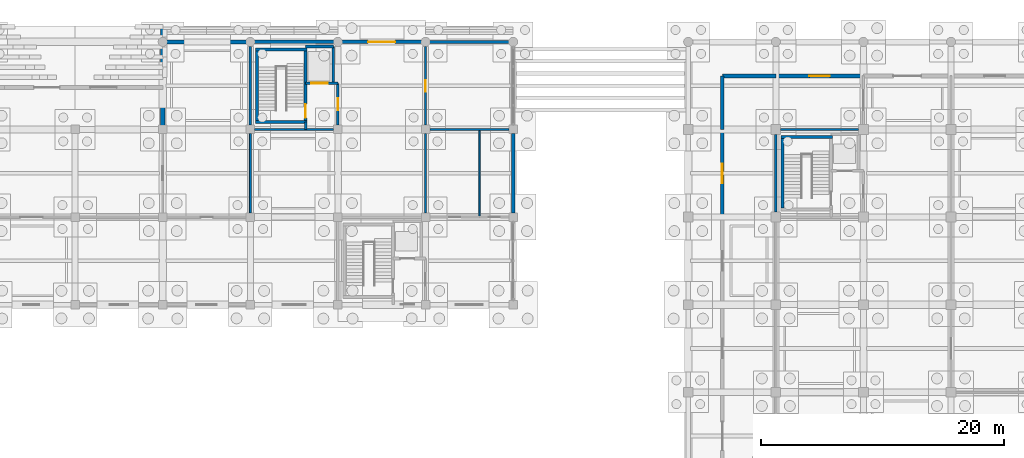
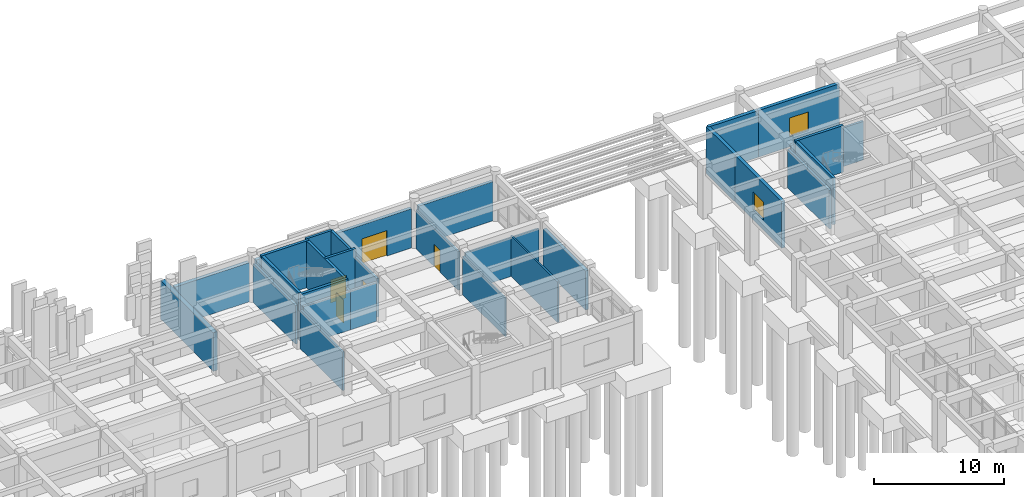
# One storey, part 65 of 79: 31 walls, 5 doors, 2 windows, 7 openings.
"""IFC4 building model written with IfcOpenShell, lengths in metres."""

from ifc_helpers import new_model, si_unit, direction, frame, frame_2d, origin, place, context, subcontext, project, spatial, rectangle, extrude, material, layer, layer_set, type_object, element, fill, save


model = new_model("IFC4")

# Units and contexts
model_context = context("Model", 3, precision=1e-05, world=origin(), true_north=direction((0.0, 1.0)))
body_context = subcontext(model_context, "Body", "Model", "MODEL_VIEW")
ifc_project = project(units=[si_unit("LENGTHUNIT", "METRE"), si_unit("AREAUNIT", "SQUARE_METRE"), si_unit("VOLUMEUNIT", "CUBIC_METRE"), si_unit("PLANEANGLEUNIT", "RADIAN"), si_unit("MASSUNIT", "GRAM", prefix="KILO")], contexts=[model_context])

# Site, building, storey
site_placement = place(None, origin())
site = spatial("IfcSite", under=ifc_project, at=site_placement, CompositionType="ELEMENT")
building_placement = place(site_placement, origin())
building = spatial("IfcBuilding", under=site, at=building_placement, Name="Kavelor Marine Aquarium", CompositionType="ELEMENT")
storey_placement = place(building_placement, origin())
storey = spatial("IfcBuildingStorey", under=building, at=storey_placement, Name="L00", CompositionType="ELEMENT", Elevation=0.0)

# Walls
ifc_material_1 = material(Name="Concrete C45/55", Category="concrete")
ifc_layer_1 = layer(ifc_material_1, 0.360107421875)
ifc_layer_set_1 = layer_set([ifc_layer_1], Name="WL-EX1")
wall_type_1 = type_object("IfcWallType", Name="WL-EX1", PredefinedType="STANDARD", material=ifc_layer_set_1)
wall_1_placement = place(storey_placement, frame((75.199951171875, 103.945068359375, 0.0), z_axis=(0.0, 0.0, 1.0), x_axis=(0.0, 1.0, 0.0)))
element("IfcWall", 1, at=wall_1_placement, inside=storey, type_object=wall_type_1, Name="ew:portal:north:cheek:e:L00", PredefinedType="STANDARD", context=body_context, shape_type="SweptSolid", body=[
    extrude(rectangle(XDim=8.094970703125, YDim=0.360107421875, at=frame_2d((4.04736328125, 0.0))), origin(), (0.0, 0.0, 1.0), 3.6201171875),
])
ifc_material_2 = material(Name="Concrete C45/55", Category="concrete")
ifc_layer_2 = layer(ifc_material_2, 0.320068359375)
ifc_layer_set_2 = layer_set([ifc_layer_2], Name="WL-EX2")
wall_type_2 = type_object("IfcWallType", Name="WL-EX2", PredefinedType="STANDARD", material=ifc_layer_set_2)
wall_2_placement = place(storey_placement, frame((75.510009765625, 110.800048828125, 0.0), z_axis=(0.0, 0.0, 1.0), x_axis=(1.0, 0.0, 0.0)))
element("IfcWall", 2, at=wall_2_placement, inside=storey, type_object=wall_type_2, Name="ew:x:L00:10_15", PredefinedType="STANDARD", context=body_context, shape_type="SweptSolid", body=[
    extrude(rectangle(XDim=6.580078125, YDim=0.320068359375, at=frame_2d((3.2900390625, 0.0))), origin(), (0.0, 0.0, 1.0), 3.669921875),
])

# Wall, opening, window
wall_3_placement = place(storey_placement, frame((121.199951171875, 96.39990234375, 0.0), z_axis=(0.0, 0.0, 1.0), x_axis=(0.0, 1.0, 0.0)))
wall_3 = element("IfcWall", 3, at=wall_3_placement, inside=storey, type_object=wall_type_2, Name="ew:arc:v6w:13", PredefinedType="STANDARD", context=body_context, shape_type="SweptSolid", body=[
    extrude(rectangle(XDim=7.2001953125, YDim=0.300048828125, at=frame_2d((3.60009765625, 0.0))), origin(), (0.0, 0.0, 1.0), 4.3701171875),
])
opening_1_placement = place(wall_3_placement, frame((2.800048828125, 0.0, 0.949951171875)))
opening_1 = element("IfcOpeningElement", 4, at=opening_1_placement, cuts=wall_3, Name="Opening W06", PredefinedType="OPENING", context=body_context, shape_type="SweptSolid", body=[
    extrude(rectangle(XDim=1.60009765625, YDim=1.699951171875, at=frame_2d((0.800048828125, 0.85009765625))), frame((0.0, 0.159912109375, 0.0), z_axis=(0.0, -1.0, 0.0), x_axis=(1.0, 0.0, 0.0)), (0.0, 0.0, 1.0), 0.320049),
])
ifc_material_3 = material(Name="Anodised Aluminium Frame with Low-E Double Glazing", Category="aluminium")
window_type_1 = type_object("IfcWindowType", Name="WIN-W06", PartitioningType="SINGLE_PANEL", PredefinedType="WINDOW", material=ifc_material_3)
window_1_placement = place(opening_1_placement, origin())
window_1 = element("IfcWindow", 5, at=window_1_placement, inside=storey, type_object=window_type_1, Name="win:arc:v6w:13", OverallHeight=1.699951171875, OverallWidth=1.60009765625, PartitioningType="SINGLE_PANEL", PredefinedType="WINDOW", context=body_context, shape_type="SweptSolid", body=[
    extrude(rectangle(XDim=1.60009765625, YDim=1.699951171875, at=frame_2d((0.800048828125, 0.85009765625))), frame((0.0, 0.030029296875, 0.0), z_axis=(0.0, -1.0, 0.0), x_axis=(1.0, 0.0, 0.0)), (0.0, 0.0, 1.0), 0.06005859375),
])
fill(opening_1, window_1)

# Walls
wall_4_placement = place(storey_placement, frame((121.199951171875, 103.60009765625, 0.0), z_axis=(0.0, 0.0, 1.0), x_axis=(0.0, 1.0, 0.0)))
element("IfcWall", 6, at=wall_4_placement, inside=storey, type_object=wall_type_2, Name="ew:arc:v6w:14", PredefinedType="STANDARD", context=body_context, shape_type="SweptSolid", body=[
    extrude(rectangle(XDim=4.39990234375, YDim=0.300048828125, at=frame_2d((2.199951171875, 0.0))), origin(), (0.0, 0.0, 1.0), 4.3701171875),
])
wall_5_placement = place(storey_placement, frame((121.199951171875, 108.0, 0.0), z_axis=(0.0, 0.0, 1.0), x_axis=(1.0, 0.0, 0.0)))
element("IfcWall", 7, at=wall_5_placement, inside=storey, type_object=wall_type_2, Name="ew:arc:v6n:16", PredefinedType="STANDARD", context=body_context, shape_type="SweptSolid", body=[
    extrude(rectangle(XDim=4.400146484375, YDim=0.300048828125, at=frame_2d((2.2001953125, 0.0))), origin(), (0.0, 0.0, 1.0), 4.3701171875),
])

# Wall, opening, window
wall_6_placement = place(storey_placement, frame((125.60009765625, 108.0, 0.0), z_axis=(0.0, 0.0, 1.0), x_axis=(1.0, 0.0, 0.0)))
wall_6 = element("IfcWall", 8, at=wall_6_placement, inside=storey, type_object=wall_type_2, Name="ew:arc:v6n:17", PredefinedType="STANDARD", context=body_context, shape_type="SweptSolid", body=[
    extrude(rectangle(XDim=7.199951171875, YDim=0.300048828125, at=frame_2d((3.60009765625, 0.0))), origin(), (0.0, 0.0, 1.0), 4.3701171875),
])
opening_2_placement = place(wall_6_placement, frame((2.75, 0.0, 0.949951171875)))
opening_2 = element("IfcOpeningElement", 9, at=opening_2_placement, cuts=wall_6, Name="Opening W07", PredefinedType="OPENING", context=body_context, shape_type="SweptSolid", body=[
    extrude(rectangle(XDim=1.699951171875, YDim=1.75, at=frame_2d((0.85009765625, 0.875))), frame((0.0, 0.159912109375, 0.0), z_axis=(0.0, -1.0, 0.0), x_axis=(1.0, 0.0, 0.0)), (0.0, 0.0, 1.0), 0.320049),
])
ifc_material_4 = material(Name="Anodised Aluminium Frame with Low-E Double Glazing", Category="aluminium")
window_type_2 = type_object("IfcWindowType", Name="WIN-W07", PartitioningType="SINGLE_PANEL", PredefinedType="WINDOW", material=ifc_material_4)
window_2_placement = place(opening_2_placement, origin())
window_2 = element("IfcWindow", 10, at=window_2_placement, inside=storey, type_object=window_type_2, Name="win:arc:v6n:17", OverallHeight=1.75, OverallWidth=1.699951171875, PartitioningType="SINGLE_PANEL", PredefinedType="WINDOW", context=body_context, shape_type="SweptSolid", body=[
    extrude(rectangle(XDim=1.699951171875, YDim=1.75, at=frame_2d((0.85009765625, 0.875))), frame((0.0, 0.030029296875, 0.0), z_axis=(0.0, -1.0, 0.0), x_axis=(1.0, 0.0, 0.0)), (0.0, 0.0, 1.0), 0.06005859375),
])
fill(opening_2, window_2)

# Wall
ifc_material_5 = material(Name="Concrete C40/50", Category="concrete")
ifc_layer_3 = layer(ifc_material_5, 0.300048828125)
ifc_layer_set_3 = layer_set([ifc_layer_3], Name="WL-EX3")
wall_type_3 = type_object("IfcWallType", Name="WL-EX3", PredefinedType="STANDARD", material=ifc_layer_set_3)
wall_7_placement = place(storey_placement, frame((82.7099609375, 110.800048828125, 0.0), z_axis=(0.0, 0.0, 1.0), x_axis=(1.0, 0.0, 0.0)))
element("IfcWall", 11, at=wall_7_placement, inside=storey, type_object=wall_type_3, Name="ew:x:L00:11_15", PredefinedType="STANDARD", context=body_context, shape_type="SweptSolid", body=[
    extrude(rectangle(XDim=6.580078125, YDim=0.300048828125, at=frame_2d((3.2900390625, 0.0))), origin(), (0.0, 0.0, 1.0), 3.669921875),
])

# Wall, opening, door
ifc_material_6 = material(Name="Concrete C40/50", Category="concrete")
ifc_layer_4 = layer(ifc_material_6, 0.280029296875)
ifc_layer_set_4 = layer_set([ifc_layer_4], Name="WL-EX4")
wall_type_4 = type_object("IfcWallType", Name="WL-EX4", PredefinedType="STANDARD", material=ifc_layer_set_4)
wall_8_placement = place(storey_placement, frame((89.909912109375, 110.800048828125, 0.0), z_axis=(0.0, 0.0, 1.0), x_axis=(1.0, 0.0, 0.0)))
wall_8 = element("IfcWall", 12, at=wall_8_placement, inside=storey, type_object=wall_type_4, Name="ew:x:L00:12_15", PredefinedType="STANDARD", context=body_context, shape_type="SweptSolid", body=[
    extrude(rectangle(XDim=6.580078125, YDim=0.280029296875, at=frame_2d((3.2900390625, 0.0))), origin(), (0.0, 0.0, 1.0), 3.669921875),
])
opening_3_placement = place(wall_8_placement, frame((2.179931640625, 0.0, 0.0)))
opening_3 = element("IfcOpeningElement", 13, at=opening_3_placement, cuts=wall_8, Name="Opening ED10", PredefinedType="OPENING", context=body_context, shape_type="SweptSolid", body=[
    extrude(rectangle(XDim=2.219970703125, YDim=2.3798828125, at=frame_2d((1.10986328125, 1.18994140625))), frame((0.0, 0.14990234375, 0.0), z_axis=(0.0, -1.0, 0.0), x_axis=(1.0, 0.0, 0.0)), (0.0, 0.0, 1.0), 0.300029),
])
ifc_material_7 = material(Name="Marine-Grade Anodised Aluminium and Laminated Safety Glass", Category="aluminium")
door_type_1 = type_object("IfcDoorType", Name="DR-ED10", OperationType="NOTDEFINED", PredefinedType="DOOR", material=ifc_material_7)
door_1_placement = place(opening_3_placement, origin())
door_1 = element("IfcDoor", 14, at=door_1_placement, inside=storey, type_object=door_type_1, Name="Pedestrian Final Exit Door ED10", OperationType="DOUBLE_DOOR_SINGLE_SWING", OverallHeight=2.3798828125, OverallWidth=2.219970703125, PredefinedType="DOOR", context=body_context, shape_type="SweptSolid", body=[
    extrude(rectangle(XDim=2.219970703125, YDim=2.3798828125, at=frame_2d((1.10986328125, 1.18994140625))), frame((0.0, 0.02490234375, 0.0), z_axis=(0.0, -1.0, 0.0), x_axis=(1.0, 0.0, 0.0)), (0.0, 0.0, 1.0), 0.050048828125),
])
fill(opening_3, door_1)

# Walls
wall_9_placement = place(storey_placement, frame((104.0, 103.2548828125, 0.0), z_axis=(0.0, 0.0, 1.0), x_axis=(0.0, -1.0, 0.0)))
element("IfcWall", 15, at=wall_9_placement, inside=storey, type_object=wall_type_4, Name="ew:y:L00:14_13", PredefinedType="STANDARD", context=body_context, shape_type="SweptSolid", body=[
    extrude(rectangle(XDim=6.509765625, YDim=0.280029296875, at=frame_2d((3.2548828125, 0.0))), origin(), (0.0, 0.0, 1.0), 3.669921875),
])
ifc_material_8 = material(Name="Concrete C40/50", Category="concrete")
ifc_layer_5 = layer(ifc_material_8, 0.260009765625)
ifc_layer_set_5 = layer_set([ifc_layer_5], Name="WL-EX5")
wall_type_5 = type_object("IfcWallType", Name="WL-EX5", PredefinedType="STANDARD", material=ifc_layer_set_5)
wall_10_placement = place(storey_placement, frame((97.110107421875, 110.800048828125, 0.0), z_axis=(0.0, 0.0, 1.0), x_axis=(1.0, 0.0, 0.0)))
element("IfcWall", 16, at=wall_10_placement, inside=storey, type_object=wall_type_5, Name="ew:x:L00:13_15", PredefinedType="STANDARD", context=body_context, shape_type="SweptSolid", body=[
    extrude(rectangle(XDim=6.579833984375, YDim=0.260009765625, at=frame_2d((3.2900390625, 0.0))), origin(), (0.0, 0.0, 1.0), 3.669921875),
])
ifc_material_9 = material(Name="Concrete Blockwork Partition", Category="masonry")
ifc_layer_6 = layer(ifc_material_9, 0.199951171875)
ifc_layer_set_6 = layer_set([ifc_layer_6], Name="WL-PT1")
wall_type_6 = type_object("IfcWallType", Name="WL-PT1", PredefinedType="PARTITIONING", material=ifc_layer_set_6)
wall_11_placement = place(storey_placement, frame((86.93994140625, 103.60009765625, 0.0), z_axis=(0.0, 0.0, 1.0), x_axis=(0.0, 1.0, 0.0)))
element("IfcWall", 17, at=wall_11_placement, inside=storey, type_object=wall_type_6, Name="pt:st_close:s:C06:L00", PredefinedType="PARTITIONING", context=body_context, shape_type="SweptSolid", body=[
    extrude(rectangle(XDim=0.619873046875, YDim=0.199951171875, at=frame_2d((0.31005859375, 0.0))), origin(), (0.0, 0.0, 1.0), 3.6201171875),
])
wall_12_placement = place(storey_placement, frame((82.39990234375, 103.949951171875, 0.0), z_axis=(0.0, 0.0, 1.0), x_axis=(0.0, 1.0, 0.0)))
element("IfcWall", 18, at=wall_12_placement, inside=storey, type_object=wall_type_6, Name="pt:lob:C06:L00:w", PredefinedType="PARTITIONING", context=body_context, shape_type="SweptSolid", body=[
    extrude(rectangle(XDim=6.47509765625, YDim=0.199951171875, at=frame_2d((3.237548828125, 0.0))), origin(), (0.0, 0.0, 1.0), 3.6201171875),
])

# Wall, opening, door
wall_13_placement = place(storey_placement, frame((89.60009765625, 103.949951171875, 0.0), z_axis=(0.0, 0.0, 1.0), x_axis=(0.0, 1.0, 0.0)))
wall_13 = element("IfcWall", 19, at=wall_13_placement, inside=storey, type_object=wall_type_6, Name="pt:lob:C06:L00:e", PredefinedType="PARTITIONING", context=body_context, shape_type="SweptSolid", body=[
    extrude(rectangle(XDim=3.449951171875, YDim=0.199951171875, at=frame_2d((1.72509765625, 0.0))), origin(), (0.0, 0.0, 1.0), 3.6201171875),
])
opening_4_placement = place(wall_13_placement, frame((1.215087890625, 0.0, 0.0)))
opening_4 = element("IfcOpeningElement", 20, at=opening_4_placement, cuts=wall_13, Name="Opening SD1", PredefinedType="OPENING", context=body_context, shape_type="SweptSolid", body=[
    extrude(rectangle(XDim=1.02001953125, YDim=2.14990234375, at=frame_2d((0.510009765625, 1.074951171875))), frame((0.0, 0.10986328125, 0.0), z_axis=(0.0, -1.0, 0.0), x_axis=(1.0, 0.0, 0.0)), (0.0, 0.0, 1.0), 0.219951),
])
ifc_material_10 = material(Name="Fire-Rated Corridor Compartment Door")
door_type_2 = type_object("IfcDoorType", Name="DR-SD1", OperationType="NOTDEFINED", PredefinedType="DOOR", material=ifc_material_10)
door_2_placement = place(opening_4_placement, origin())
door_2 = element("IfcDoor", 21, at=door_2_placement, inside=storey, type_object=door_type_2, Name="Core Lobby Fire Door C06-L00", OperationType="SINGLE_SWING_RIGHT", OverallHeight=2.14990234375, OverallWidth=1.02001953125, PredefinedType="DOOR", context=body_context, shape_type="SweptSolid", body=[
    extrude(rectangle(XDim=1.02001953125, YDim=2.14990234375, at=frame_2d((0.510009765625, 1.074951171875))), frame((0.0, 0.02490234375, 0.0), z_axis=(0.0, -1.0, 0.0), x_axis=(1.0, 0.0, 0.0)), (0.0, 0.0, 1.0), 0.050048828125),
])
fill(opening_4, door_2)

# Walls
wall_14_placement = place(storey_placement, frame((82.75, 103.60009765625, 0.0), z_axis=(0.0, 0.0, 1.0), x_axis=(1.0, 0.0, 0.0)))
element("IfcWall", 22, at=wall_14_placement, inside=storey, type_object=wall_type_6, Name="pt:lob:C06:L00:s_st", PredefinedType="PARTITIONING", context=body_context, shape_type="SweptSolid", body=[
    extrude(rectangle(XDim=4.18994140625, YDim=0.199951171875, at=frame_2d((2.094970703125, 0.0))), origin(), (0.0, 0.0, 1.0), 3.6201171875),
])
wall_15_placement = place(storey_placement, frame((86.93994140625, 103.60009765625, 0.0), z_axis=(0.0, 0.0, 1.0), x_axis=(1.0, 0.0, 0.0)))
element("IfcWall", 23, at=wall_15_placement, inside=storey, type_object=wall_type_6, Name="pt:lob:C06:L00:s", PredefinedType="PARTITIONING", context=body_context, shape_type="SweptSolid", body=[
    extrude(rectangle(XDim=2.31005859375, YDim=0.199951171875, at=frame_2d((1.155029296875, 0.0))), origin(), (0.0, 0.0, 1.0), 3.6201171875),
])
for number, where, z_axis, x_axis, name in (
    (24, (125.60009765625, 96.800048828125, 0.0), (0.0, 0.0, 1.0), (0.0, 1.0, 0.0), "pt:lob:C10:L00:w"),
    (25, (126.0, 103.60009765625, 0.0), (0.0, 0.0, 1.0), (1.0, 0.0, 0.0), "pt:lob:C10:L00:n_full"),
):
    element("IfcWall", number, at=place(storey_placement, frame(where, z_axis=z_axis, x_axis=x_axis)), inside=storey, type_object=wall_type_6, Name=name, PredefinedType="PARTITIONING", context=body_context, shape_type="SweptSolid", body=[
        extrude(rectangle(XDim=6.39990234375, YDim=0.199951171875, at=frame_2d((3.199951171875, 0.0))), origin(), (0.0, 0.0, 1.0), 3.6201171875),
    ])
ifc_material_11 = material(Name="Acoustic Gypsum Stud Partition")
ifc_layer_7 = layer(ifc_material_11, 0.159912109375)
ifc_layer_set_7 = layer_set([ifc_layer_7], Name="WL-PT2")
wall_type_7 = type_object("IfcWallType", Name="WL-PT2", PredefinedType="PARTITIONING", material=ifc_layer_set_7)
wall_16_placement = place(storey_placement, frame((82.39990234375, 96.75, 0.0), z_axis=(0.0, 0.0, 1.0), x_axis=(0.0, 1.0, 0.0)))
element("IfcWall", 26, at=wall_16_placement, inside=storey, type_object=wall_type_7, Name="pt:y:L00:10_13", PredefinedType="PARTITIONING", context=body_context, shape_type="SweptSolid", body=[
    extrude(rectangle(XDim=6.5, YDim=0.159912109375, at=frame_2d((3.25, 0.0))), origin(), (0.0, 0.0, 1.0), 3.6201171875),
])

# Wall, opening, door
wall_17_placement = place(storey_placement, frame((96.800048828125, 103.949951171875, 0.0), z_axis=(0.0, 0.0, 1.0), x_axis=(0.0, 1.0, 0.0)))
wall_17 = element("IfcWall", 27, at=wall_17_placement, inside=storey, type_object=wall_type_7, Name="pt:y:L00:12_14", PredefinedType="PARTITIONING", context=body_context, shape_type="SweptSolid", body=[
    extrude(rectangle(XDim=6.47509765625, YDim=0.159912109375, at=frame_2d((3.237548828125, 0.0))), origin(), (0.0, 0.0, 1.0), 3.6201171875),
])
opening_5_placement = place(wall_17_placement, frame((2.757568359375, 0.0, 0.0)))
opening_5 = element("IfcOpeningElement", 28, at=opening_5_placement, cuts=wall_17, Name="Opening D01", PredefinedType="OPENING", context=body_context, shape_type="SweptSolid", body=[
    extrude(rectangle(XDim=0.9599609375, YDim=2.10009765625, at=frame_2d((0.47998046875, 1.050048828125))), frame((0.0, 0.08984375, 0.0), z_axis=(0.0, -1.0, 0.0), x_axis=(1.0, 0.0, 0.0)), (0.0, 0.0, 1.0), 0.179912),
])
ifc_material_12 = material(Name="Solid-Core Acoustic Timber Laboratory Door", Category="wood")
door_type_3 = type_object("IfcDoorType", Name="DR-D01", OperationType="NOTDEFINED", PredefinedType="DOOR", material=ifc_material_12)
door_3_placement = place(opening_5_placement, origin())
door_3 = element("IfcDoor", 29, at=door_3_placement, inside=storey, type_object=door_type_3, Name="dr:rm:pt:y:L00:12_14:0", OperationType="SINGLE_SWING_RIGHT", OverallHeight=2.10009765625, OverallWidth=0.9599609375, PredefinedType="DOOR", context=body_context, shape_type="SweptSolid", body=[
    extrude(rectangle(XDim=0.9599609375, YDim=2.10009765625, at=frame_2d((0.47998046875, 1.050048828125))), frame((0.0, 0.02490234375, 0.0), z_axis=(0.0, -1.0, 0.0), x_axis=(1.0, 0.0, 0.0)), (0.0, 0.0, 1.0), 0.050048828125),
])
fill(opening_5, door_3)

# Walls
ifc_material_13 = material(Name="Moisture-Resistant Marine Partition")
ifc_layer_8 = layer(ifc_material_13, 0.139892578125)
ifc_layer_set_8 = layer_set([ifc_layer_8], Name="WL-PT3")
wall_type_8 = type_object("IfcWallType", Name="WL-PT3", PredefinedType="PARTITIONING", material=ifc_layer_set_8)
wall_18_placement = place(storey_placement, frame((101.25, 96.39990234375, 0.0), z_axis=(0.0, 0.0, 1.0), x_axis=(0.0, 1.0, 0.0)))
element("IfcWall", 30, at=wall_18_placement, inside=storey, type_object=wall_type_8, Name="pt:san:div:L00:13_13", PredefinedType="PARTITIONING", context=body_context, shape_type="SweptSolid", body=[
    extrude(rectangle(XDim=7.2001953125, YDim=0.139892578125, at=frame_2d((3.60009765625, 0.0))), origin(), (0.0, 0.0, 1.0), 3.800048828125),
])
for number, where, z_axis, x_axis, name in (
    (31, (97.14990234375, 103.60009765625, 0.0), (0.0, 0.0, 1.0), (1.0, 0.0, 0.0), "pt:san:enc_n:L00:13_13"),
    (32, (96.800048828125, 96.75, 0.0), (0.0, 0.0, 1.0), (0.0, 1.0, 0.0), "pt:san:enc_w:L00:13_13"),
):
    element("IfcWall", number, at=place(storey_placement, frame(where, z_axis=z_axis, x_axis=x_axis)), inside=storey, type_object=wall_type_8, Name=name, PredefinedType="PARTITIONING", context=body_context, shape_type="SweptSolid", body=[
        extrude(rectangle(XDim=6.5, YDim=0.139892578125, at=frame_2d((3.25, 0.0))), origin(), (0.0, 0.0, 1.0), 3.6201171875),
    ])
ifc_material_14 = material(Name="Concrete C40/50", Category="concrete")
ifc_layer_9 = layer(ifc_material_14, 0.35009765625)
ifc_layer_set_9 = layer_set([ifc_layer_9], Name="WL-SW2")
wall_type_9 = type_object("IfcWallType", Name="WL-SW2", PredefinedType="SHEAR", material=ifc_layer_set_9)
for number, where, z_axis, x_axis, name in (
    (33, (82.820068359375, 104.219970703125, 0.0), (0.0, 0.0, 1.0), (1.0, 0.0, 0.0), "cw_st:s:C06:L00"),
    (34, (82.820068359375, 110.179931640625, 0.0), (0.0, 0.0, 1.0), (1.0, 0.0, 0.0), "cw_st:n:C06:L00"),
):
    element("IfcWall", number, at=place(storey_placement, frame(where, z_axis=z_axis, x_axis=x_axis)), inside=storey, type_object=wall_type_9, Name=name, PredefinedType="SHEAR", context=body_context, shape_type="SweptSolid", body=[
        extrude(rectangle(XDim=4.239990234375, YDim=0.239990234375, at=frame_2d((2.1201171875, 0.0))), origin(), (0.0, 0.0, 1.0), 4.3798828125),
    ])
wall_19_placement = place(storey_placement, frame((82.93994140625, 104.340087890625, 0.0), z_axis=(0.0, 0.0, 1.0), x_axis=(0.0, 1.0, 0.0)))
element("IfcWall", 35, at=wall_19_placement, inside=storey, type_object=wall_type_9, Name="cw_st:w:C06:L00", PredefinedType="SHEAR", context=body_context, shape_type="SweptSolid", body=[
    extrude(rectangle(XDim=5.719970703125, YDim=0.239990234375, at=frame_2d((2.85986328125, 0.0))), origin(), (0.0, 0.0, 1.0), 4.3798828125),
])

# Wall, opening, door
wall_20_placement = place(storey_placement, frame((86.93994140625, 104.340087890625, 0.0), z_axis=(0.0, 0.0, 1.0), x_axis=(0.0, 1.0, 0.0)))
wall_20 = element("IfcWall", 36, at=wall_20_placement, inside=storey, type_object=wall_type_9, Name="cw_st:e:C06:L00", PredefinedType="SHEAR", context=body_context, shape_type="SweptSolid", body=[
    extrude(rectangle(XDim=5.719970703125, YDim=0.239990234375, at=frame_2d((2.85986328125, 0.0))), origin(), (0.0, 0.0, 1.0), 4.3798828125),
])
opening_6_placement = place(wall_20_placement, frame((0.219970703125, 0.0, 0.0)))
opening_6 = element("IfcOpeningElement", 37, at=opening_6_placement, cuts=wall_20, Name="Opening FD1", PredefinedType="OPENING", context=body_context, shape_type="SweptSolid", body=[
    extrude(rectangle(XDim=1.1201171875, YDim=2.14990234375, at=frame_2d((0.56005859375, 1.074951171875))), frame((0.0, 0.1298828125, 0.0), z_axis=(0.0, -1.0, 0.0), x_axis=(1.0, 0.0, 0.0)), (0.0, 0.0, 1.0), 0.25999),
])
ifc_material_15 = material(Name="Fire-Rated Steel Stair and Core Door", Category="steel")
door_type_4 = type_object("IfcDoorType", Name="DR-FD1", OperationType="NOTDEFINED", PredefinedType="DOOR", material=ifc_material_15)
door_4_placement = place(opening_6_placement, origin())
door_4 = element("IfcDoor", 38, at=door_4_placement, inside=storey, type_object=door_type_4, Name="Stair Fire Door ST06-L00", OperationType="SINGLE_SWING_LEFT", OverallHeight=2.14990234375, OverallWidth=1.1201171875, PredefinedType="DOOR", context=body_context, shape_type="SweptSolid", body=[
    extrude(rectangle(XDim=1.1201171875, YDim=2.14990234375, at=frame_2d((0.56005859375, 1.074951171875))), frame((0.0, 0.02490234375, 0.0), z_axis=(0.0, -1.0, 0.0), x_axis=(1.0, 0.0, 0.0)), (0.0, 0.0, 1.0), 0.050048828125),
])
fill(opening_6, door_4)

wall_21_placement = place(storey_placement, frame((86.93994140625, 107.39990234375, 0.0), z_axis=(0.0, 0.0, 1.0), x_axis=(1.0, 0.0, 0.0)))
wall_21 = element("IfcWall", 39, at=wall_21_placement, inside=storey, type_object=wall_type_9, Name="cw_lf:s:C06:L00", PredefinedType="SHEAR", context=body_context, shape_type="SweptSolid", body=[
    extrude(rectangle(XDim=2.66015625, YDim=0.219970703125, at=frame_2d((1.330078125, 0.0))), origin(), (0.0, 0.0, 1.0), 4.3798828125),
])
opening_7_placement = place(wall_21_placement, frame((0.472412109375, 0.0, 0.0)))
opening_7 = element("IfcOpeningElement", 40, at=opening_7_placement, cuts=wall_21, Name="Opening LD2", PredefinedType="OPENING", context=body_context, shape_type="SweptSolid", body=[
    extrude(rectangle(XDim=1.340087890625, YDim=2.14990234375, at=frame_2d((0.669921875, 1.074951171875))), frame((0.0, 0.119873046875, 0.0), z_axis=(0.0, -1.0, 0.0), x_axis=(1.0, 0.0, 0.0)), (0.0, 0.0, 1.0), 0.239971),
])
ifc_material_16 = material(Name="Stainless Steel Goods and Stretcher Lift Sliding Door", Category="steel")
door_type_5 = type_object("IfcDoorType", Name="DR-LD2", OperationType="NOTDEFINED", PredefinedType="DOOR", material=ifc_material_16)
door_5_placement = place(opening_7_placement, origin())
door_5 = element("IfcDoor", 41, at=door_5_placement, inside=storey, type_object=door_type_5, Name="Lift Landing Sliding Door FL1-L00", OperationType="DOUBLE_DOOR_SLIDING", OverallHeight=2.14990234375, OverallWidth=1.340087890625, PredefinedType="DOOR", context=body_context, shape_type="SweptSolid", body=[
    extrude(rectangle(XDim=1.340087890625, YDim=2.14990234375, at=frame_2d((0.669921875, 1.074951171875))), frame((0.0, 0.02490234375, 0.0), z_axis=(0.0, -1.0, 0.0), x_axis=(1.0, 0.0, 0.0)), (0.0, 0.0, 1.0), 0.050048828125),
])
fill(opening_7, door_5)

# Walls
wall_22_placement = place(storey_placement, frame((86.93994140625, 110.425048828125, 0.0), z_axis=(0.0, 0.0, 1.0), x_axis=(1.0, 0.0, 0.0)))
element("IfcWall", 42, at=wall_22_placement, inside=storey, type_object=wall_type_9, Name="cw_lf:n:C06:L00", PredefinedType="SHEAR", context=body_context, shape_type="SweptSolid", body=[
    extrude(rectangle(XDim=2.28515625, YDim=0.219970703125, at=frame_2d((1.142578125, 0.0))), origin(), (0.0, 0.0, 1.0), 4.3798828125),
])
wall_23_placement = place(storey_placement, frame((89.22509765625, 107.39990234375, 0.0), z_axis=(0.0, 0.0, 1.0), x_axis=(0.0, 1.0, 0.0)))
element("IfcWall", 43, at=wall_23_placement, inside=storey, type_object=wall_type_9, Name="cw_lf:e:C06:L00", PredefinedType="SHEAR", context=body_context, shape_type="SweptSolid", body=[
    extrude(rectangle(XDim=3.025146484375, YDim=0.219970703125, at=frame_2d((1.5126953125, 0.0))), origin(), (0.0, 0.0, 1.0), 4.3798828125),
])
wall_24_placement = place(storey_placement, frame((126.02001953125, 102.97998046875, 0.0), z_axis=(0.0, 0.0, 1.0), x_axis=(1.0, 0.0, 0.0)))
element("IfcWall", 44, at=wall_24_placement, inside=storey, type_object=wall_type_9, Name="cw_st:n:C10:L00", PredefinedType="SHEAR", context=body_context, shape_type="SweptSolid", body=[
    extrude(rectangle(XDim=4.239990234375, YDim=0.239990234375, at=frame_2d((2.1201171875, 0.0))), origin(), (0.0, 0.0, 1.0), 4.3798828125),
])
wall_25_placement = place(storey_placement, frame((126.139892578125, 97.139892578125, 0.0), z_axis=(0.0, 0.0, 1.0), x_axis=(0.0, 1.0, 0.0)))
element("IfcWall", 45, at=wall_25_placement, inside=storey, type_object=wall_type_9, Name="cw_st:w:C10:L00", PredefinedType="SHEAR", context=body_context, shape_type="SweptSolid", body=[
    extrude(rectangle(XDim=5.72021484375, YDim=0.239990234375, at=frame_2d((2.860107421875, 0.0))), origin(), (0.0, 0.0, 1.0), 4.3798828125),
])

save(model, "model.ifc")
